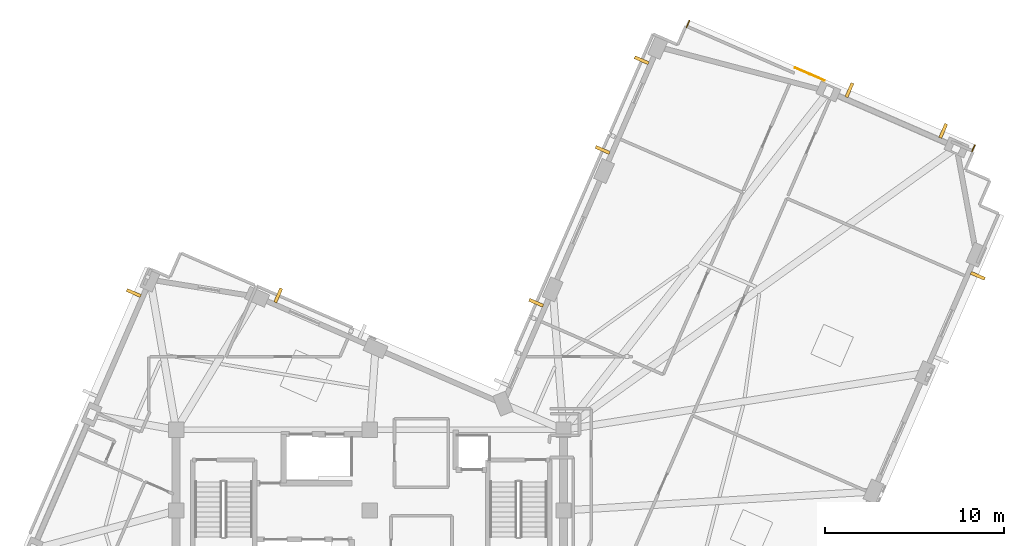
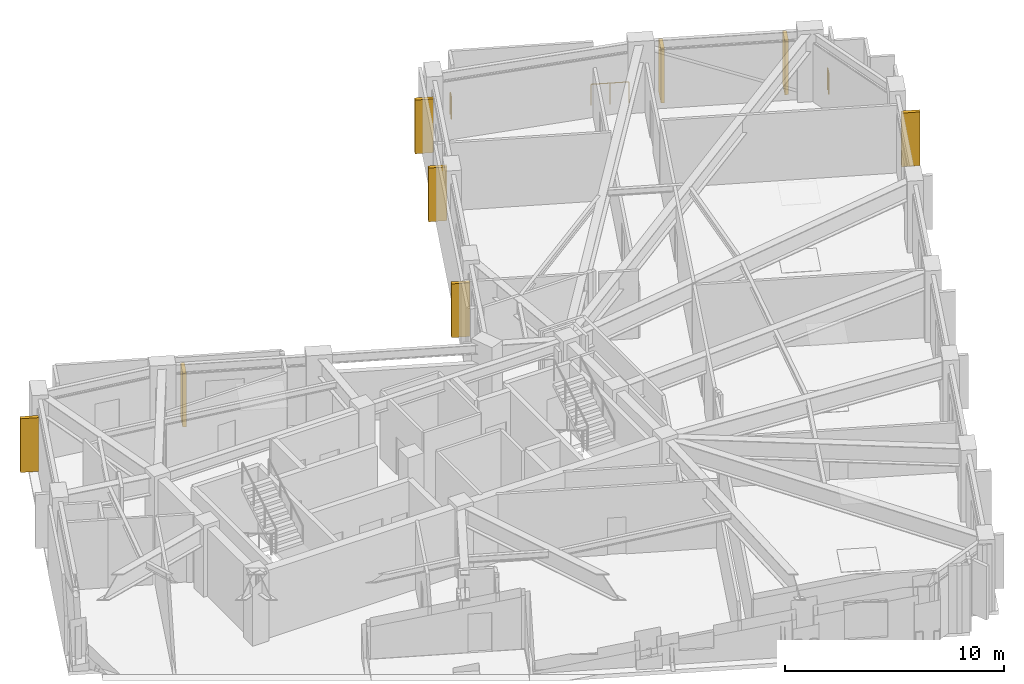
# One storey, part 12 of 12: 8 shading devices, 3 railings.
"""IFC4 building model written with IfcOpenShell, lengths in metres."""

from ifc_helpers import new_model, si_unit, direction, frame, origin, origin_2d, place, context, subcontext, project, spatial, rectangle, circle, extrude, material, layer, layer_set, type_object, element, save


model = new_model("IFC4")

# Units and contexts
model_context = context("Model", 3, precision=1e-05, world=origin(), true_north=direction((0.0, 1.0)))
body_context = subcontext(model_context, "Body", "Model", "MODEL_VIEW")
ifc_project = project(units=[si_unit("LENGTHUNIT", "METRE"), si_unit("AREAUNIT", "SQUARE_METRE"), si_unit("VOLUMEUNIT", "CUBIC_METRE"), si_unit("PLANEANGLEUNIT", "RADIAN"), si_unit("MASSUNIT", "GRAM", prefix="KILO")], contexts=[model_context])

# Site, building, storey
site_placement = place(None, origin())
site = spatial("IfcSite", under=ifc_project, at=site_placement, CompositionType="ELEMENT")
building_placement = place(site_placement, origin())
building = spatial("IfcBuilding", under=site, at=building_placement, Name="Gaonmaruhae Medical Tower", CompositionType="ELEMENT")
storey_placement = place(building_placement, frame((0.0, 0.0, 312.60009765625)))
storey = spatial("IfcBuildingStorey", under=building, at=storey_placement, Name="L75", CompositionType="ELEMENT", Elevation=312.60009765625)

# Railings
ifc_material_1 = material(Name="Stainless steel 316L and laminated safety glass", Category="steel")
ifc_layer = layer(ifc_material_1, 0.080078125)
ifc_layer_set = layer_set([ifc_layer], Name="Stainless steel 316L and laminated safety glass")
railing_type = type_object("IfcRailingType", Name="GD-120 Outdoor Terrace Safety Glass & Steel Balustrade", PredefinedType="BALUSTRADE", material=ifc_layer_set)
railing_1_placement = place(storey_placement, frame((42.467041015625, 39.249267578125, 0.0)))
element("IfcRailing", 1, at=railing_1_placement, inside=storey, type_object=railing_type, Name="L75 Perimeter Slab Edge Safety Balustrade 04", PredefinedType="BALUSTRADE", context=body_context, shape_type="SweptSolid", body=[
    extrude(circle(Radius=0.02392578125, at=origin_2d()), frame((0.0, 0.0, 1.17578125), z_axis=(0.398408401045, 0.917208125769, 0.0), x_axis=(-0.917208125769, 0.398408401045, 0.0)), (0.0, 0.0, 1.0), 0.393310546875),
    extrude(circle(Radius=0.02099609375, at=origin_2d()), origin(), (0.0, 0.0, 1.0), 1.15185546875),
    extrude(circle(Radius=0.02099609375, at=origin_2d()), frame((0.15673828125, 0.36083984375, 0.0)), (0.0, 0.0, 1.0), 1.15185546875),
])
railing_2_placement = place(storey_placement, frame((48.525634765625, 36.989501953125, 0.0)))
element("IfcRailing", 2, at=railing_2_placement, inside=storey, type_object=railing_type, Name="L75 Perimeter Slab Edge Safety Balustrade 05", PredefinedType="BALUSTRADE", context=body_context, shape_type="SweptSolid", body=[
    extrude(circle(Radius=0.02392578125, at=origin_2d()), frame((0.0, 0.0, 1.17578125), z_axis=(0.917074449051, -0.398716007828, 0.0), x_axis=(0.398716007828, 0.917074449051, 0.0)), (0.0, 0.0, 1.0), 1.76708984375),
    extrude(circle(Radius=0.02099609375, at=origin_2d()), origin(), (0.0, 0.0, 1.0), 1.15185546875),
    extrude(circle(Radius=0.02099609375, at=origin_2d()), frame((0.810302734375, -0.352294921875, 0.0)), (0.0, 0.0, 1.0), 1.15185546875),
    extrude(circle(Radius=0.02099609375, at=origin_2d()), frame((1.62060546875, -0.70458984375, 0.0)), (0.0, 0.0, 1.0), 1.15185546875),
])
railing_3_placement = place(storey_placement, frame((58.544189453125, 32.687744140625, 0.0)))
element("IfcRailing", 3, at=railing_3_placement, inside=storey, type_object=railing_type, Name="L75 Perimeter Slab Edge Safety Balustrade 06", PredefinedType="BALUSTRADE", context=body_context, shape_type="SweptSolid", body=[
    extrude(circle(Radius=0.02392578125, at=origin_2d()), frame((0.0, 0.0, 1.17578125), z_axis=(-0.399157351922, -0.916882439796, 0.0), x_axis=(0.916882439796, -0.399157351922, 0.0)), (0.0, 0.0, 1.0), 0.393310546875),
    extrude(circle(Radius=0.02099609375, at=origin_2d()), origin(), (0.0, 0.0, 1.0), 1.15185546875),
    extrude(circle(Radius=0.02099609375, at=origin_2d()), frame((-0.156982421875, -0.360595703125, 0.0)), (0.0, 0.0, 1.0), 1.15185546875),
])

# Shading devices
ifc_material_2 = material(Name="Pigmented coral precast concrete C45/55", Category="concrete")
shading_device_type = type_object("IfcShadingDeviceType", Name="SD-FIN1 Tower Vertical Coral Precast Shading Fin", PredefinedType="USERDEFINED", material=ifc_material_2)
for number, where, z_axis, x_axis, name in (
    (4, (58.712158203125, 25.3876953125, 0.13232421875), (0.0, 0.0, 1.0), (-0.398749068925, -0.917060074385, 0.0), "L75 Vertical Coral Precast Shading Fin S05"),
    (5, (51.55078125, 35.7451171875, 0.13232421875), (0.0, 0.0, 1.0), (0.917060074385, -0.398749068925, 0.0), "L75 Vertical Coral Precast Shading Fin E01"),
    (6, (56.782470703125, 33.47021484375, 0.13232421875), (0.0, 0.0, 1.0), (0.917060074385, -0.398749068925, 0.0), "L75 Vertical Coral Precast Shading Fin E01B"),
    (7, (37.786376953125, 32.4091796875, 0.13232421875), (0.0, 0.0, 1.0), (0.398765074582, 0.917053114761, 0.0), "L75 Vertical Coral Precast Shading Fin E03"),
    (8, (39.961669921875, 37.411865234375, 0.13232421875), (0.0, 0.0, 1.0), (0.398765074582, 0.917053114761, 0.0), "L75 Vertical Coral Precast Shading Fin E03B"),
    (9, (34.080078125, 23.885009765625, 0.13232421875), (0.0, 0.0, 1.0), (0.398749068925, 0.917060074385, 0.0), "L75 Vertical Coral Precast Shading Fin EN02B"),
    (10, (19.694091796875, 24.29833984375, 0.13232421875), (0.0, 0.0, 1.0), (0.917060074385, -0.398749068925, 0.0), "L75 Vertical Coral Precast Shading Fin NE01"),
    (11, (11.6357421875, 24.429931640625, 0.13232421875), (0.0, 0.0, 1.0), (0.398749068925, 0.917060074385, 0.0), "L75 Vertical Coral Precast Shading Fin N01B"),
):
    element("IfcShadingDevice", number, at=place(storey_placement, frame(where, z_axis=z_axis, x_axis=x_axis)), inside=storey, type_object=shading_device_type, Name=name, ObjectType="FIN", PredefinedType="USERDEFINED", context=body_context, shape_type="SweptSolid", body=[
        extrude(rectangle(XDim=0.179931640625, YDim=0.85009765625, at=origin_2d()), origin(), (0.0, 0.0, 1.0), 3.0),
    ])

save(model, "model.ifc")
